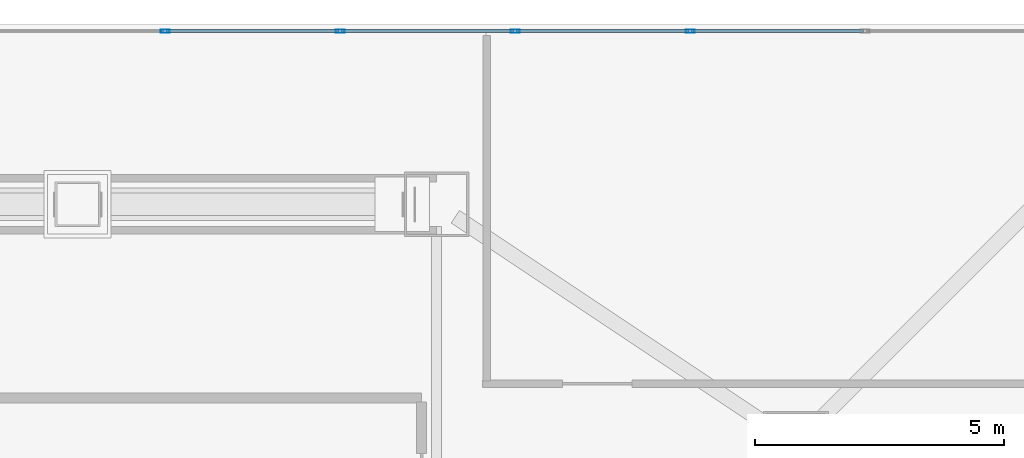
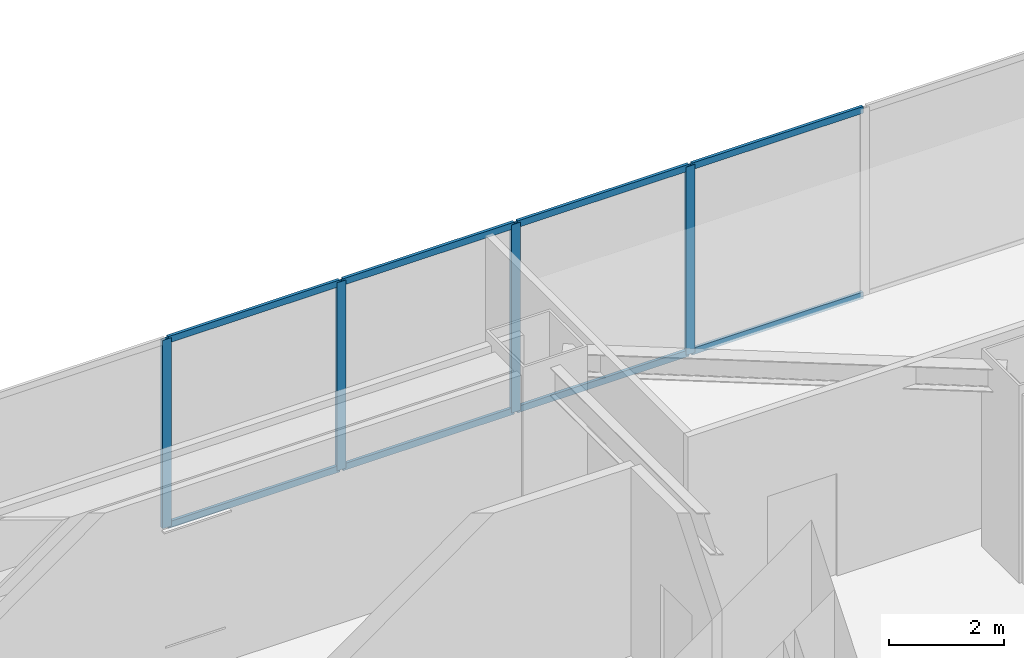
# One storey, part 15 of 39: 12 members, 1 element without a shape of its own.
"""IFC4 building model written with IfcOpenShell, lengths in metres."""

from ifc_helpers import new_model, si_unit, direction, frame, origin, origin_2d, place, context, subcontext, project, spatial, hollow_rectangle, extrude, material, layer, layer_set, material_profile, profile_set, type_object, element, aggregate, save


model = new_model("IFC4")

# Units and contexts
model_context = context("Model", 3, precision=1e-05, world=origin(), true_north=direction((0.0, 1.0)))
body_context = subcontext(model_context, "Body", "Model", "MODEL_VIEW")
ifc_project = project(units=[si_unit("LENGTHUNIT", "METRE"), si_unit("AREAUNIT", "SQUARE_METRE"), si_unit("VOLUMEUNIT", "CUBIC_METRE"), si_unit("PLANEANGLEUNIT", "RADIAN"), si_unit("MASSUNIT", "GRAM", prefix="KILO")], contexts=[model_context])

# Site, building, storey
site_placement = place(None, origin())
site = spatial("IfcSite", under=ifc_project, at=site_placement, CompositionType="ELEMENT")
building_placement = place(site_placement, origin())
building = spatial("IfcBuilding", under=site, at=building_placement, Name="Haolan Belvedere Tower", CompositionType="ELEMENT")
storey_placement = place(building_placement, frame((0.0, 0.0, 19.800048828125)))
storey = spatial("IfcBuildingStorey", under=building, at=storey_placement, Name="L04", CompositionType="ELEMENT", Elevation=19.800048828125)

# Curtain wall, members
ifc_material_1 = material(Name="Anodised champagne-silver aluminium 6063-T6 and Low-E glass", Category="aluminium")
ifc_layer = layer(ifc_material_1, 0.179931640625, Name="Anodised champagne-silver aluminium 6063-T6 and Low-E glass")
ifc_layer_set = layer_set([ifc_layer], Name="Anodised champagne-silver aluminium 6063-T6 and Low-E glass")
curtain_wall_type = type_object("IfcCurtainWallType", Name="CW-SYS-01", PredefinedType="NOTDEFINED", material=ifc_layer_set)
curtain_wall_placement = place(storey_placement, origin())
curtain_wall = element("IfcCurtainWall", 1, at=curtain_wall_placement, inside=storey, type_object=curtain_wall_type, Name="L04 CW-SYS-01 ribbon curtain wall 3.1", PredefinedType="NOTDEFINED")
ifc_material_2 = material(Name="Anodised aluminium 6063-T6", Category="aluminium")
ifc_material_profile_1 = material_profile(ifc_material_2, hollow_rectangle(XDim=0.06494140625, YDim=0.179931640625, WallThickness=0.00390625, at=origin_2d()), Name="Anodised aluminium 6063-T6")
ifc_profile_set_1 = profile_set([ifc_material_profile_1], Name="Anodised aluminium 6063-T6")
member_type_1 = type_object("IfcMemberType", Name="CW-SYS-01-MUL", PredefinedType="MULLION", material=ifc_profile_set_1)
member_1_placement = place(storey_placement, frame((50.679443359375, 53.8701171875, 0.0), z_axis=(0.0, 0.0, 1.0), x_axis=(0.0, -1.0, 0.0)))
member_1 = element("IfcMember", 2, at=member_1_placement, type_object=member_type_1, Name="CW-01 mullion 7", PredefinedType="MULLION", context=body_context, shape_type="SweptSolid", body=[
    extrude(hollow_rectangle(XDim=0.06494140625, YDim=0.179931640625, WallThickness=0.00390625, at=origin_2d()), origin(), (0.0, 0.0, 1.0), 4.0),
])
member_2_placement = place(storey_placement, frame((47.171142578125, 53.8701171875, 0.0), z_axis=(0.0, 0.0, 1.0), x_axis=(0.0, -1.0, 0.0)))
member_2 = element("IfcMember", 3, at=member_2_placement, type_object=member_type_1, Name="CW-01 mullion 8", PredefinedType="MULLION", context=body_context, shape_type="SweptSolid", body=[
    extrude(hollow_rectangle(XDim=0.06494140625, YDim=0.179931640625, WallThickness=0.00390625, at=origin_2d()), origin(), (0.0, 0.0, 1.0), 4.0),
])
member_3_placement = place(storey_placement, frame((43.66259765625, 53.8701171875, 0.0), z_axis=(0.0, 0.0, 1.0), x_axis=(0.0, -1.0, 0.0)))
member_3 = element("IfcMember", 4, at=member_3_placement, type_object=member_type_1, Name="CW-01 mullion 9", PredefinedType="MULLION", context=body_context, shape_type="SweptSolid", body=[
    extrude(hollow_rectangle(XDim=0.06494140625, YDim=0.179931640625, WallThickness=0.00390625, at=origin_2d()), origin(), (0.0, 0.0, 1.0), 4.0),
])
member_4_placement = place(storey_placement, frame((40.154296875, 53.8701171875, 0.0), z_axis=(0.0, 0.0, 1.0), x_axis=(0.0, -1.0, 0.0)))
member_4 = element("IfcMember", 5, at=member_4_placement, type_object=member_type_1, Name="CW-01 mullion 10", PredefinedType="MULLION", context=body_context, shape_type="SweptSolid", body=[
    extrude(hollow_rectangle(XDim=0.06494140625, YDim=0.179931640625, WallThickness=0.00390625, at=origin_2d()), origin(), (0.0, 0.0, 1.0), 4.0),
])
ifc_material_profile_2 = material_profile(ifc_material_2, hollow_rectangle(XDim=0.06005859375, YDim=0.139892578125, WallThickness=0.00390625, at=origin_2d()), Name="Anodised aluminium 6063-T6")
ifc_profile_set_2 = profile_set([ifc_material_profile_2], Name="Anodised aluminium 6063-T6")
member_type_2 = type_object("IfcMemberType", Name="CW-SYS-01-TRN", PredefinedType="USERDEFINED", material=ifc_profile_set_2)
member_5_placement = place(storey_placement, frame((54.1552734375, 53.8701171875, 0.030029296875), z_axis=(-1.0, 0.0, 0.0), x_axis=(0.0, -1.0, 0.0)))
member_5 = element("IfcMember", 6, at=member_5_placement, type_object=member_type_2, Name="CW-01 transom 6.1", ObjectType="TRANSOM", PredefinedType="USERDEFINED", context=body_context, shape_type="SweptSolid", body=[
    extrude(hollow_rectangle(XDim=0.06005859375, YDim=0.139892578125, WallThickness=0.00390625, at=origin_2d()), origin(), (0.0, 0.0, 1.0), 3.443359375),
])
member_6_placement = place(storey_placement, frame((54.1552734375, 53.8701171875, 3.969970703125), z_axis=(-1.0, 0.0, 0.0), x_axis=(0.0, -1.0, 0.0)))
member_6 = element("IfcMember", 7, at=member_6_placement, type_object=member_type_2, Name="CW-01 transom 6.2", ObjectType="TRANSOM", PredefinedType="USERDEFINED", context=body_context, shape_type="SweptSolid", body=[
    extrude(hollow_rectangle(XDim=0.06005859375, YDim=0.139892578125, WallThickness=0.00390625, at=origin_2d()), origin(), (0.0, 0.0, 1.0), 3.443359375),
])
member_7_placement = place(storey_placement, frame((50.64697265625, 53.8701171875, 0.030029296875), z_axis=(-1.0, 0.0, 0.0), x_axis=(0.0, -1.0, 0.0)))
member_7 = element("IfcMember", 8, at=member_7_placement, type_object=member_type_2, Name="CW-01 transom 7.1", ObjectType="TRANSOM", PredefinedType="USERDEFINED", context=body_context, shape_type="SweptSolid", body=[
    extrude(hollow_rectangle(XDim=0.06005859375, YDim=0.139892578125, WallThickness=0.00390625, at=origin_2d()), origin(), (0.0, 0.0, 1.0), 3.443359375),
])
member_8_placement = place(storey_placement, frame((50.64697265625, 53.8701171875, 3.969970703125), z_axis=(-1.0, 0.0, 0.0), x_axis=(0.0, -1.0, 0.0)))
member_8 = element("IfcMember", 9, at=member_8_placement, type_object=member_type_2, Name="CW-01 transom 7.2", ObjectType="TRANSOM", PredefinedType="USERDEFINED", context=body_context, shape_type="SweptSolid", body=[
    extrude(hollow_rectangle(XDim=0.06005859375, YDim=0.139892578125, WallThickness=0.00390625, at=origin_2d()), origin(), (0.0, 0.0, 1.0), 3.443359375),
])
member_9_placement = place(storey_placement, frame((47.138671875, 53.8701171875, 0.030029296875), z_axis=(-1.0, 0.0, 0.0), x_axis=(0.0, -1.0, 0.0)))
member_9 = element("IfcMember", 10, at=member_9_placement, type_object=member_type_2, Name="CW-01 transom 8.1", ObjectType="TRANSOM", PredefinedType="USERDEFINED", context=body_context, shape_type="SweptSolid", body=[
    extrude(hollow_rectangle(XDim=0.06005859375, YDim=0.139892578125, WallThickness=0.00390625, at=origin_2d()), origin(), (0.0, 0.0, 1.0), 3.443603515625),
])
member_10_placement = place(storey_placement, frame((47.138671875, 53.8701171875, 3.969970703125), z_axis=(-1.0, 0.0, 0.0), x_axis=(0.0, -1.0, 0.0)))
member_10 = element("IfcMember", 11, at=member_10_placement, type_object=member_type_2, Name="CW-01 transom 8.2", ObjectType="TRANSOM", PredefinedType="USERDEFINED", context=body_context, shape_type="SweptSolid", body=[
    extrude(hollow_rectangle(XDim=0.06005859375, YDim=0.139892578125, WallThickness=0.00390625, at=origin_2d()), origin(), (0.0, 0.0, 1.0), 3.443603515625),
])
member_11_placement = place(storey_placement, frame((43.630126953125, 53.8701171875, 0.030029296875), z_axis=(-1.0, 0.0, 0.0), x_axis=(0.0, -1.0, 0.0)))
member_11 = element("IfcMember", 12, at=member_11_placement, type_object=member_type_2, Name="CW-01 transom 9.1", ObjectType="TRANSOM", PredefinedType="USERDEFINED", context=body_context, shape_type="SweptSolid", body=[
    extrude(hollow_rectangle(XDim=0.06005859375, YDim=0.139892578125, WallThickness=0.00390625, at=origin_2d()), origin(), (0.0, 0.0, 1.0), 3.443359375),
])
member_12_placement = place(storey_placement, frame((43.630126953125, 53.8701171875, 3.969970703125), z_axis=(-1.0, 0.0, 0.0), x_axis=(0.0, -1.0, 0.0)))
member_12 = element("IfcMember", 13, at=member_12_placement, type_object=member_type_2, Name="CW-01 transom 9.2", ObjectType="TRANSOM", PredefinedType="USERDEFINED", context=body_context, shape_type="SweptSolid", body=[
    extrude(hollow_rectangle(XDim=0.06005859375, YDim=0.139892578125, WallThickness=0.00390625, at=origin_2d()), origin(), (0.0, 0.0, 1.0), 3.443359375),
])
aggregate(curtain_wall, [member_1, member_2, member_3, member_4, member_5, member_6, member_7, member_8, member_9, member_10, member_11, member_12])

save(model, "model.ifc")
